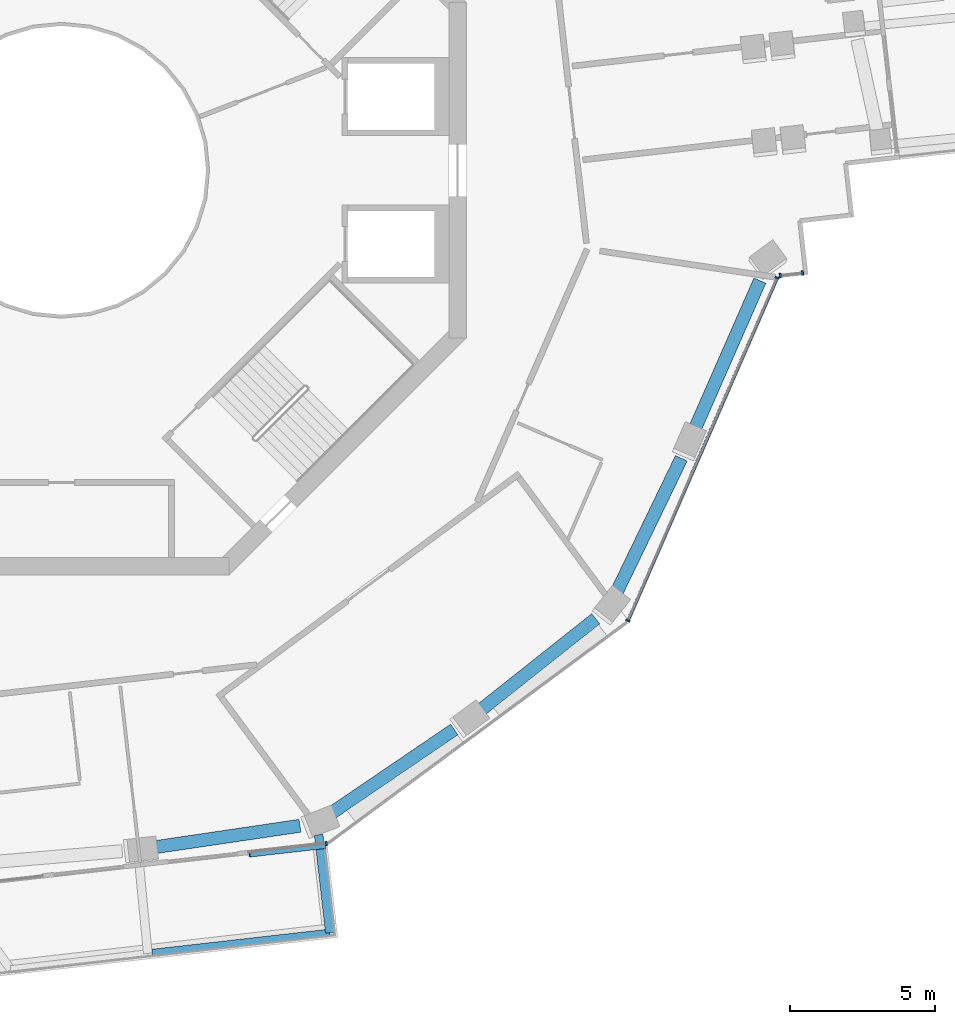
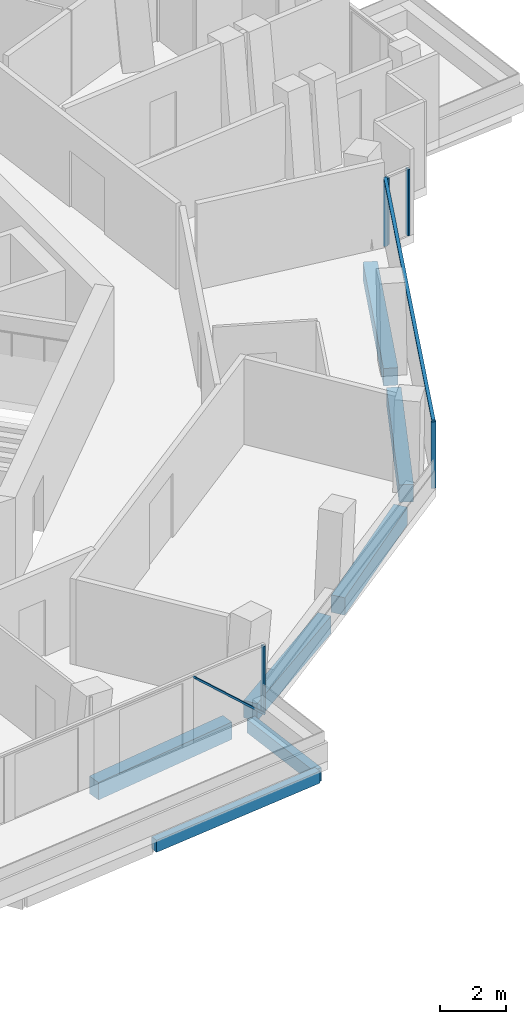
# One storey, part 5 of 23: 7 beams, 7 members, 3 elements without a shape of their own.
"""IFC4 building model written with IfcOpenShell, lengths in metres."""

from ifc_helpers import new_model, si_unit, direction, frame, origin, origin_2d, place, context, subcontext, project, spatial, rectangle, extrude, material, layer, layer_set, material_profile, profile_set, type_object, element, aggregate, save


model = new_model("IFC4")

# Units and contexts
model_context = context("Model", 3, precision=1e-05, world=origin(), true_north=direction((0.0, 1.0)))
body_context = subcontext(model_context, "Body", "Model", "MODEL_VIEW")
ifc_project = project(units=[si_unit("LENGTHUNIT", "METRE"), si_unit("AREAUNIT", "SQUARE_METRE"), si_unit("VOLUMEUNIT", "CUBIC_METRE"), si_unit("PLANEANGLEUNIT", "RADIAN"), si_unit("MASSUNIT", "GRAM", prefix="KILO")], contexts=[model_context])

# Site, building, storey
site_placement = place(None, origin())
site = spatial("IfcSite", under=ifc_project, at=site_placement, CompositionType="ELEMENT")
building_placement = place(site_placement, origin())
building = spatial("IfcBuilding", under=site, at=building_placement, Name="Verdalira Terraces Hotel", CompositionType="ELEMENT")
storey_placement = place(building_placement, frame((0.0, 0.0, 183.5)))
storey = spatial("IfcBuildingStorey", under=building, at=storey_placement, Name="L44", CompositionType="ELEMENT", Elevation=183.5)

# Beams
ifc_material_1 = material(Name="Concrete C40", Category="concrete")
ifc_material_profile_1 = material_profile(ifc_material_1, rectangle(XDim=0.300049, YDim=0.5, at=origin_2d()), Name="RC 300X500")
ifc_profile_set_1 = profile_set([ifc_material_profile_1], Name="Concrete C40")
beam_type_1 = type_object("IfcBeamType", Name="Balcony cantilever beam RC 300X500 C40", PredefinedType="BEAM", material=ifc_profile_set_1)
beam_1_placement = place(storey_placement, frame((8.894531, -22.99292, -0.560059), z_axis=(0.112883974, -0.993608177, 0.0), x_axis=(0.993608177, 0.112883974, 0.0)))
element("IfcBeam", 1, at=beam_1_placement, inside=storey, type_object=beam_type_1, Name="Balcony cantilever beam R25-3", PredefinedType="BEAM", context=body_context, shape_type="SweptSolid", body=[
    extrude(rectangle(XDim=0.300049, YDim=0.5, at=origin_2d()), origin(), (0.0, 0.0, 1.0), 3.408447),
])
ifc_material_2 = material(Name="Concrete C40", Category="concrete")
ifc_material_profile_2 = material_profile(ifc_material_2, rectangle(XDim=0.25, YDim=0.449951, at=origin_2d()), Name="RC 250X450")
ifc_profile_set_2 = profile_set([ifc_material_profile_2], Name="Concrete C40")
beam_type_2 = type_object("IfcBeamType", Name="Balcony edge beam RC 250X450 C40", PredefinedType="BEAM", material=ifc_profile_set_2)
beam_2_placement = place(storey_placement, frame((3.130615, -27.078125, -0.534912), z_axis=(0.993609378, 0.112873394, 0.0), x_axis=(-0.112873394, 0.993609378, 0.0)))
element("IfcBeam", 2, at=beam_2_placement, inside=storey, type_object=beam_type_2, Name="Balcony edge beam R25-2", PredefinedType="BEAM", context=body_context, shape_type="SweptSolid", body=[
    extrude(rectangle(XDim=0.25, YDim=0.449951, at=origin_2d()), origin(), (0.0, 0.0, 1.0), 6.188232),
])

# Curtain wall, member
ifc_material_3 = material(Name="Clear glass", Category="glass")
ifc_layer_1 = layer(ifc_material_3, 0.14990234375)
ifc_layer_set_1 = layer_set([ifc_layer_1], Name="CW1 curtain wall")
curtain_wall_type_1 = type_object("IfcCurtainWallType", Name="CW1 curtain wall", PredefinedType="NOTDEFINED", material=ifc_layer_set_1)
curtain_wall_1_placement = place(storey_placement, origin())
curtain_wall_1 = element("IfcCurtainWall", 3, at=curtain_wall_1_placement, inside=storey, type_object=curtain_wall_type_1, Name="CW1 curtain wall L44 edge 25", PredefinedType="NOTDEFINED")
ifc_material_4 = material(Name="Terracotta frame", Category="masonry")
ifc_material_profile_3 = material_profile(ifc_material_4, rectangle(XDim=0.060059, YDim=0.149902, at=origin_2d()), Name="MU 60x150")
ifc_profile_set_3 = profile_set([ifc_material_profile_3], Name="Terracotta frame")
member_type_1 = type_object("IfcMemberType", Name="CW1 mullion 60x150", PredefinedType="MULLION", material=ifc_profile_set_3)
member_1_placement = place(storey_placement, frame((9.157959, -23.298584, 0.0), z_axis=(0.0, 0.0, 1.0), x_axis=(0.993611311, 0.112856385, 0.0)))
member_1 = element("IfcMember", 4, at=member_1_placement, type_object=member_type_1, Name="CW1 mullion", PredefinedType="MULLION", context=body_context, shape_type="SweptSolid", body=[
    extrude(rectangle(XDim=0.060059, YDim=0.149902, at=origin_2d()), origin(), (0.0, 0.0, 1.0), 2.475098),
])

# Curtain wall, members
curtain_wall_2_placement = place(storey_placement, origin())
curtain_wall_2 = element("IfcCurtainWall", 5, at=curtain_wall_2_placement, inside=storey, type_object=curtain_wall_type_1, Name="CW1 curtain wall L44 edge 27", PredefinedType="NOTDEFINED")
member_2_placement = place(storey_placement, frame((19.592285, -15.583252, 0.0), z_axis=(0.0, 0.0, 1.0), x_axis=(0.399069159, 0.916920829, 0.0)))
member_2 = element("IfcMember", 6, at=member_2_placement, type_object=member_type_1, Name="CW1 mullion", PredefinedType="MULLION", context=body_context, shape_type="SweptSolid", body=[
    extrude(rectangle(XDim=0.060059, YDim=0.149902, at=origin_2d()), origin(), (0.0, 0.0, 1.0), 2.475098),
])
member_3_placement = place(storey_placement, frame((24.756104, -3.718262, 0.0), z_axis=(0.0, 0.0, 1.0), x_axis=(0.399069159, 0.916920829, 0.0)))
member_3 = element("IfcMember", 7, at=member_3_placement, type_object=member_type_1, Name="CW1 mullion", PredefinedType="MULLION", context=body_context, shape_type="SweptSolid", body=[
    extrude(rectangle(XDim=0.060059, YDim=0.149902, at=origin_2d()), origin(), (0.0, 0.0, 1.0), 2.475098),
])
ifc_material_5 = material(Name="Terracotta frame", Category="masonry")
ifc_material_profile_4 = material_profile(ifc_material_5, rectangle(XDim=0.110107, YDim=0.064941, at=origin_2d()), Name="TR 65x110")
ifc_profile_set_4 = profile_set([ifc_material_profile_4], Name="Terracotta frame")
member_type_2 = type_object("IfcMemberType", Name="CW1 transom 65x110", PredefinedType="USERDEFINED", material=ifc_profile_set_4)
member_4_placement = place(storey_placement, frame((19.580322, -15.61084, 2.507568), z_axis=(0.399060516, 0.916924591, 0.0), x_axis=(-0.916924591, 0.399060516, 0.0)))
member_4 = element("IfcMember", 8, at=member_4_placement, type_object=member_type_2, Name="CW1 transom", ObjectType="TRANSOM", PredefinedType="USERDEFINED", context=body_context, shape_type="SweptSolid", body=[
    extrude(rectangle(XDim=0.110107, YDim=0.064941, at=origin_2d()), origin(), (0.0, 0.0, 1.0), 13.0),
])
aggregate(curtain_wall_2, [member_2, member_3, member_4])

ifc_material_6 = material(Name="Clear glass", Category="glass")
ifc_layer_2 = layer(ifc_material_6, 0.14990234375)
ifc_layer_set_2 = layer_set([ifc_layer_2], Name="CW2 curtain wall")
curtain_wall_type_2 = type_object("IfcCurtainWallType", Name="CW2 curtain wall", PredefinedType="NOTDEFINED", material=ifc_layer_set_2)
curtain_wall_3_placement = place(storey_placement, origin())
curtain_wall_3 = element("IfcCurtainWall", 9, at=curtain_wall_3_placement, inside=storey, type_object=curtain_wall_type_2, Name="CW2 curtain wall L44 edge 28", PredefinedType="NOTDEFINED")
ifc_material_7 = material(Name="Terracotta frame", Category="masonry")
ifc_material_profile_5 = material_profile(ifc_material_7, rectangle(XDim=0.070068, YDim=0.149902, at=origin_2d()), Name="MU 70x150")
ifc_profile_set_5 = profile_set([ifc_material_profile_5], Name="Terracotta frame")
member_type_3 = type_object("IfcMemberType", Name="CW2 mullion 70x150", PredefinedType="MULLION", material=ifc_profile_set_5)
member_5_placement = place(storey_placement, frame((24.863281, -3.642334, 0.0), z_axis=(0.0, 0.0, 1.0), x_axis=(0.993611311, 0.112856385, 0.0)))
member_5 = element("IfcMember", 10, at=member_5_placement, type_object=member_type_3, Name="CW2 mullion", PredefinedType="MULLION", context=body_context, shape_type="SweptSolid", body=[
    extrude(rectangle(XDim=0.070068, YDim=0.149902, at=origin_2d()), origin(), (0.0, 0.0, 1.0), 2.475098),
])
member_6_placement = place(storey_placement, frame((25.638184, -3.554199, 0.0), z_axis=(0.0, 0.0, 1.0), x_axis=(0.993611311, 0.112856385, 0.0)))
member_6 = element("IfcMember", 11, at=member_6_placement, type_object=member_type_3, Name="CW2 mullion", PredefinedType="MULLION", context=body_context, shape_type="SweptSolid", body=[
    extrude(rectangle(XDim=0.070068, YDim=0.149902, at=origin_2d()), origin(), (0.0, 0.0, 1.0), 2.475098),
])
aggregate(curtain_wall_3, [member_5, member_6])

# Member
ifc_material_8 = material(Name="Terracotta frame", Category="masonry")
ifc_material_profile_6 = material_profile(ifc_material_8, rectangle(XDim=0.149902, YDim=0.060059, at=origin_2d()), Name="GB 60x150")
ifc_profile_set_6 = profile_set([ifc_material_profile_6], Name="Terracotta frame")
member_type_4 = type_object("IfcMemberType", Name="Diagonal glazing bar 60x150", PredefinedType="USERDEFINED", material=ifc_profile_set_6)
member_7_placement = place(storey_placement, frame((6.501709, -23.689941, 2.45166), z_axis=(0.729794624, 0.082900193, -0.678621665), x_axis=(-0.112868001, 0.993609991, 0.0)))
member_7 = element("IfcMember", 12, at=member_7_placement, type_object=member_type_4, Name="Diagonal glazing bar", ObjectType="GLAZING BAR", PredefinedType="USERDEFINED", context=body_context, shape_type="SweptSolid", body=[
    extrude(rectangle(XDim=0.149902, YDim=0.060059, at=origin_2d()), origin(), (0.0, 0.0, 1.0), 3.578125),
])

aggregate(curtain_wall_1, [member_1, member_7])

# Beams
ifc_material_9 = material(Name="Concrete C50", Category="concrete")
ifc_material_profile_7 = material_profile(ifc_material_9, rectangle(XDim=0.449951, YDim=0.649902, at=origin_2d()), Name="RC 450X650")
ifc_profile_set_7 = profile_set([ifc_material_profile_7], Name="Concrete C50")
beam_type_3 = type_object("IfcBeamType", Name="Spandrel beam RC 450X650 C50", PredefinedType="SPANDREL", material=ifc_profile_set_7)
beam_3_placement = place(storey_placement, frame((3.112305, -23.438721, -0.63501), z_axis=(0.989266518, 0.146122399, 0.0), x_axis=(-0.146122399, 0.989266518, 0.0)))
element("IfcBeam", 13, at=beam_3_placement, inside=storey, type_object=beam_type_3, Name="Spandrel beam B12", PredefinedType="SPANDREL", context=body_context, shape_type="SweptSolid", body=[
    extrude(rectangle(XDim=0.449951, YDim=0.649902, at=origin_2d()), origin(), (0.0, 0.0, 1.0), 5.189453),
])
beam_4_placement = place(storey_placement, frame((9.292725, -22.270264, -0.63501), z_axis=(0.827010452, 0.562186546, 0.0), x_axis=(-0.562186546, 0.827010452, 0.0)))
element("IfcBeam", 14, at=beam_4_placement, inside=storey, type_object=beam_type_3, Name="Spandrel beam B13", PredefinedType="SPANDREL", context=body_context, shape_type="SweptSolid", body=[
    extrude(rectangle(XDim=0.449951, YDim=0.649902, at=origin_2d()), origin(), (0.0, 0.0, 1.0), 5.192139),
])
beam_5_placement = place(storey_placement, frame((14.414795, -18.742432, -0.63501), z_axis=(0.783651672, 0.621200497, 0.0), x_axis=(-0.621200497, 0.783651672, 0.0)))
element("IfcBeam", 15, at=beam_5_placement, inside=storey, type_object=beam_type_3, Name="Spandrel beam B14", PredefinedType="SPANDREL", context=body_context, shape_type="SweptSolid", body=[
    extrude(rectangle(XDim=0.449951, YDim=0.649902, at=origin_2d()), origin(), (0.0, 0.0, 1.0), 5.189453),
])
beam_6_placement = place(storey_placement, frame((19.182861, -14.640381, -0.63501), z_axis=(0.435117204, 0.900373822, 0.0), x_axis=(-0.900373822, 0.435117204, 0.0)))
element("IfcBeam", 16, at=beam_6_placement, inside=storey, type_object=beam_type_3, Name="Spandrel beam B15", PredefinedType="SPANDREL", context=body_context, shape_type="SweptSolid", body=[
    extrude(rectangle(XDim=0.449951, YDim=0.649902, at=origin_2d()), origin(), (0.0, 0.0, 1.0), 5.192383),
])
beam_7_placement = place(storey_placement, frame((21.866699, -9.044189, -0.63501), z_axis=(0.401850957, 0.915705088, 0.0), x_axis=(-0.915705088, 0.401850957, 0.0)))
element("IfcBeam", 17, at=beam_7_placement, inside=storey, type_object=beam_type_3, Name="Spandrel beam B16", PredefinedType="SPANDREL", context=body_context, shape_type="SweptSolid", body=[
    extrude(rectangle(XDim=0.449951, YDim=0.649902, at=origin_2d()), origin(), (0.0, 0.0, 1.0), 5.706543),
])

save(model, "model.ifc")
